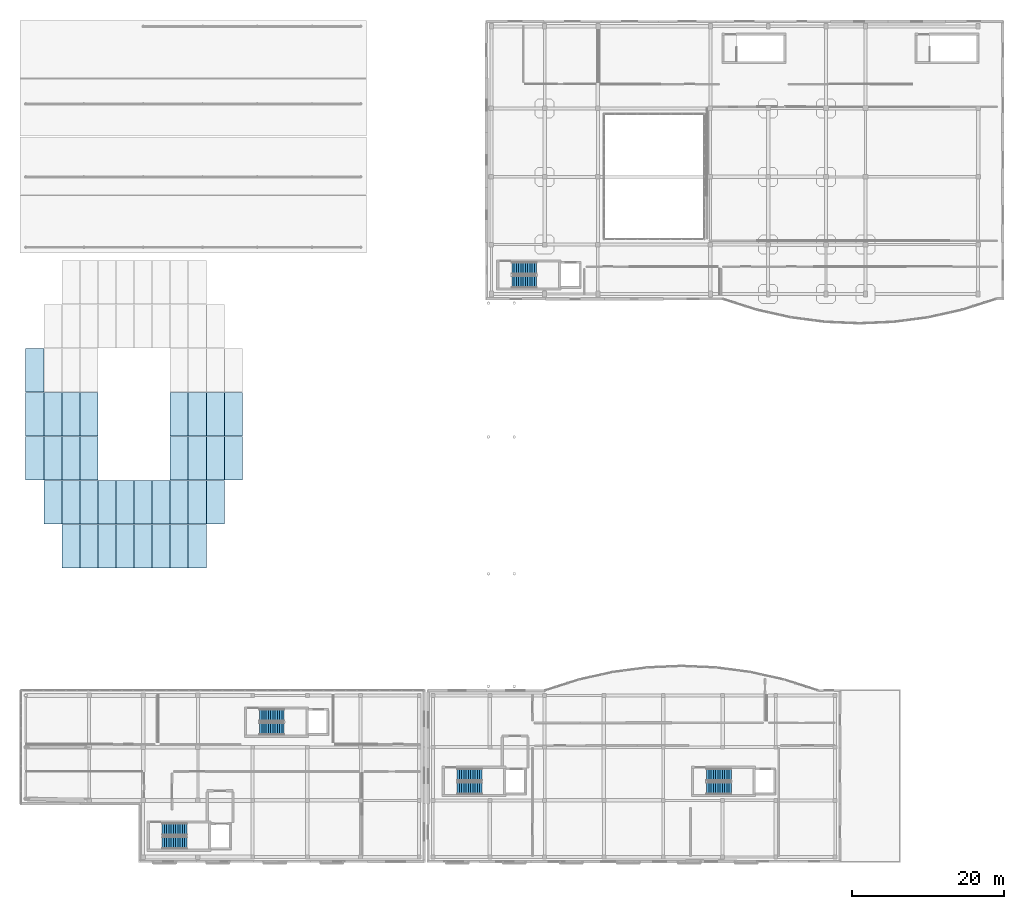
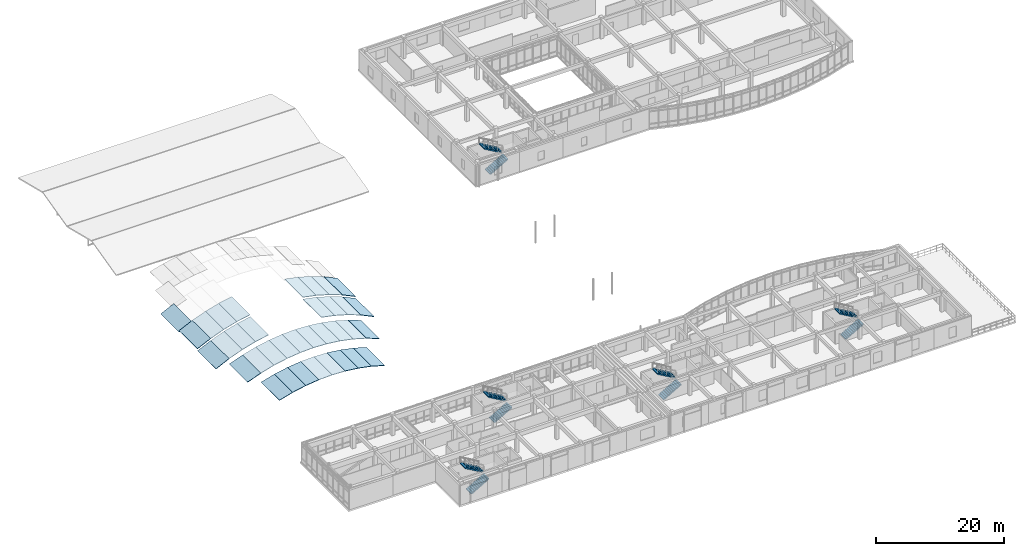
# One storey, part 84 of 91: 35 roofs, 10 stair flights, 5 elements without a shape of their own.
"""IFC4 building model written with IfcOpenShell, lengths in metres."""

from ifc_helpers import new_model, si_unit, direction, frame, origin, place, context, subcontext, project, spatial, polyline, outline, extrude, material, type_object, element, aggregate, save


model = new_model("IFC4")

# Units and contexts
model_context = context("Model", 3, precision=1e-05, world=origin(), true_north=direction((0.0, 1.0)))
body_context = subcontext(model_context, "Body", "Model", "MODEL_VIEW")
ifc_project = project(units=[si_unit("LENGTHUNIT", "METRE"), si_unit("AREAUNIT", "SQUARE_METRE"), si_unit("VOLUMEUNIT", "CUBIC_METRE"), si_unit("PLANEANGLEUNIT", "RADIAN"), si_unit("MASSUNIT", "GRAM", prefix="KILO")], contexts=[model_context])

# Site, building, storey
site_placement = place(None, origin())
site = spatial("IfcSite", under=ifc_project, at=site_placement, CompositionType="ELEMENT")
building_placement = place(site_placement, origin())
building = spatial("IfcBuilding", under=site, at=building_placement, Name="Valcora Specialist Clinic", CompositionType="ELEMENT")
storey_placement = place(building_placement, frame((0.0, 0.0, 13.60009765625)))
storey = spatial("IfcBuildingStorey", under=building, at=storey_placement, Name="L03", CompositionType="ELEMENT", Elevation=13.60009765625)

# Stair, stair flights
ifc_material_1 = material(Name="Concrete C40/50", Category="concrete")
stair_type = type_object("IfcStairType", Name="TY-ST-DG408", PredefinedType="HALF_TURN_STAIR", material=ifc_material_1)
stair_1_placement = place(storey_placement, origin())
stair_1 = element("IfcStair", 1, at=stair_1_placement, inside=storey, type_object=stair_type, Name="L03 Core C-V4A stair ST-V4A", PredefinedType="HALF_TURN_STAIR")
stair_flight_type = type_object("IfcStairFlightType", Name="TY-SF-RC160", PredefinedType="STRAIGHT", material=ifc_material_1)
stair_flight_1_placement = place(storey_placement, frame((64.699951171875, 76.39990234375, 0.0), z_axis=(0.0, 0.0, 1.0), x_axis=(1.0, 0.0, 0.0)))
stair_flight_1 = element("IfcStairFlight", 2, at=stair_flight_1_placement, type_object=stair_flight_type, Name="ST-V4A flight 1", NumberOfRisers=12, NumberOfTreads=11, PredefinedType="STRAIGHT", RiserHeight=0.17, TreadLength=0.295, context=body_context, shape_type="SweptSolid", body=[
    extrude(outline(polyline([(0.0, 0.0), (0.0, 0.169921875), (0.294921875, 0.169921875), (0.294921875, 0.340087890625), (0.590087890625, 0.340087890625), (0.590087890625, 0.510009765625), (0.885009765625, 0.510009765625), (0.885009765625, 0.679931640625), (1.179931640625, 0.679931640625), (1.179931640625, 0.85009765625), (1.47509765625, 0.85009765625), (1.47509765625, 1.02001953125), (1.77001953125, 1.02001953125), (1.77001953125, 1.18994140625), (2.06494140625, 1.18994140625), (2.06494140625, 1.360107421875), (2.360107421875, 1.360107421875), (2.360107421875, 1.530029296875), (2.655029296875, 1.530029296875), (2.655029296875, 1.699951171875), (2.949951171875, 1.699951171875), (2.949951171875, 1.8701171875), (3.2451171875, 1.8701171875), (3.2451171875, 2.0400390625), (3.2451171875, 1.685546875), (0.3203125, 0.0), (0.0, 0.0)])), frame((0.0, 0.800048828125, 0.0), z_axis=(0.0, -1.0, 0.0), x_axis=(1.0, 0.0, 0.0)), (0.0, 0.0, 1.0), 1.60009765625),
])
stair_flight_2_placement = place(storey_placement, frame((67.945068359375, 78.199951171875, 2.039794921875), z_axis=(0.0, 0.0, 1.0), x_axis=(-1.0, 0.0, 0.0)))
stair_flight_2 = element("IfcStairFlight", 3, at=stair_flight_2_placement, type_object=stair_flight_type, Name="ST-V4A flight 2", NumberOfRisers=12, NumberOfTreads=11, PredefinedType="STRAIGHT", RiserHeight=0.17, TreadLength=0.295, context=body_context, shape_type="SweptSolid", body=[
    extrude(outline(polyline([(0.0, 0.0), (0.0, 0.169921875), (0.294921875, 0.169921875), (0.294921875, 0.340087890625), (0.590087890625, 0.340087890625), (0.590087890625, 0.510009765625), (0.885009765625, 0.510009765625), (0.885009765625, 0.679931640625), (1.179931640625, 0.679931640625), (1.179931640625, 0.85009765625), (1.47509765625, 0.85009765625), (1.47509765625, 1.02001953125), (1.77001953125, 1.02001953125), (1.77001953125, 1.18994140625), (2.06494140625, 1.18994140625), (2.06494140625, 1.360107421875), (2.360107421875, 1.360107421875), (2.360107421875, 1.530029296875), (2.655029296875, 1.530029296875), (2.655029296875, 1.699951171875), (2.949951171875, 1.699951171875), (2.949951171875, 1.8701171875), (3.2451171875, 1.8701171875), (3.2451171875, 2.0400390625), (3.2451171875, 1.685546875), (0.3203125, 0.0), (0.0, 0.0)])), frame((0.0, 0.800048828125, 0.0), z_axis=(0.0, -1.0, 0.0), x_axis=(1.0, 0.0, 0.0)), (0.0, 0.0, 1.0), 1.60009765625),
])
aggregate(stair_1, [stair_flight_1, stair_flight_2])

stair_2_placement = place(storey_placement, origin())
stair_2 = element("IfcStair", 4, at=stair_2_placement, inside=storey, type_object=stair_type, Name="L03 Core C-V5A stair ST-V5A", PredefinedType="HALF_TURN_STAIR")
stair_flight_3_placement = place(storey_placement, frame((18.699951171875, 2.60009765625, 0.0), z_axis=(0.0, 0.0, 1.0), x_axis=(1.0, 0.0, 0.0)))
stair_flight_3 = element("IfcStairFlight", 5, at=stair_flight_3_placement, type_object=stair_flight_type, Name="ST-V5A flight 1", NumberOfRisers=12, NumberOfTreads=11, PredefinedType="STRAIGHT", RiserHeight=0.17, TreadLength=0.295, context=body_context, shape_type="SweptSolid", body=[
    extrude(outline(polyline([(0.0, 0.0), (0.0, 0.169921875), (0.294921875, 0.169921875), (0.294921875, 0.340087890625), (0.590087890625, 0.340087890625), (0.590087890625, 0.510009765625), (0.885009765625, 0.510009765625), (0.885009765625, 0.679931640625), (1.179931640625, 0.679931640625), (1.179931640625, 0.85009765625), (1.47509765625, 0.85009765625), (1.47509765625, 1.02001953125), (1.77001953125, 1.02001953125), (1.77001953125, 1.18994140625), (2.06494140625, 1.18994140625), (2.06494140625, 1.360107421875), (2.360107421875, 1.360107421875), (2.360107421875, 1.530029296875), (2.655029296875, 1.530029296875), (2.655029296875, 1.699951171875), (2.949951171875, 1.699951171875), (2.949951171875, 1.8701171875), (3.2451171875, 1.8701171875), (3.2451171875, 2.0400390625), (3.2451171875, 1.685546875), (0.3203125, 0.0), (0.0, 0.0)])), frame((0.0, 0.800048828125, 0.0), z_axis=(0.0, -1.0, 0.0), x_axis=(1.0, 0.0, 0.0)), (0.0, 0.0, 1.0), 1.60009765625),
])
stair_flight_4_placement = place(storey_placement, frame((21.945068359375, 4.39990234375, 2.039794921875), z_axis=(0.0, 0.0, 1.0), x_axis=(-1.0, 0.0, 0.0)))
stair_flight_4 = element("IfcStairFlight", 6, at=stair_flight_4_placement, type_object=stair_flight_type, Name="ST-V5A flight 2", NumberOfRisers=12, NumberOfTreads=11, PredefinedType="STRAIGHT", RiserHeight=0.17, TreadLength=0.295, context=body_context, shape_type="SweptSolid", body=[
    extrude(outline(polyline([(0.0, 0.0), (0.0, 0.169921875), (0.294921875, 0.169921875), (0.294921875, 0.340087890625), (0.590087890625, 0.340087890625), (0.590087890625, 0.510009765625), (0.885009765625, 0.510009765625), (0.885009765625, 0.679931640625), (1.179931640625, 0.679931640625), (1.179931640625, 0.85009765625), (1.47509765625, 0.85009765625), (1.47509765625, 1.02001953125), (1.77001953125, 1.02001953125), (1.77001953125, 1.18994140625), (2.06494140625, 1.18994140625), (2.06494140625, 1.360107421875), (2.360107421875, 1.360107421875), (2.360107421875, 1.530029296875), (2.655029296875, 1.530029296875), (2.655029296875, 1.699951171875), (2.949951171875, 1.699951171875), (2.949951171875, 1.8701171875), (3.2451171875, 1.8701171875), (3.2451171875, 2.0400390625), (3.2451171875, 1.685546875), (0.3203125, 0.0), (0.0, 0.0)])), frame((0.0, 0.800048828125, 0.0), z_axis=(0.0, -1.0, 0.0), x_axis=(1.0, 0.0, 0.0)), (0.0, 0.0, 1.0), 1.60009765625),
])
aggregate(stair_2, [stair_flight_3, stair_flight_4])

stair_3_placement = place(storey_placement, origin())
stair_3 = element("IfcStair", 7, at=stair_3_placement, inside=storey, type_object=stair_type, Name="L03 Core C-V5B stair ST-V5B", PredefinedType="HALF_TURN_STAIR")
stair_flight_5_placement = place(storey_placement, frame((31.5, 17.60009765625, 0.0), z_axis=(0.0, 0.0, 1.0), x_axis=(1.0, 0.0, 0.0)))
stair_flight_5 = element("IfcStairFlight", 8, at=stair_flight_5_placement, type_object=stair_flight_type, Name="ST-V5B flight 1", NumberOfRisers=12, NumberOfTreads=11, PredefinedType="STRAIGHT", RiserHeight=0.17, TreadLength=0.295, context=body_context, shape_type="SweptSolid", body=[
    extrude(outline(polyline([(0.0, 0.0), (0.0, 0.169921875), (0.294921875, 0.169921875), (0.294921875, 0.340087890625), (0.590087890625, 0.340087890625), (0.590087890625, 0.510009765625), (0.885009765625, 0.510009765625), (0.885009765625, 0.679931640625), (1.179931640625, 0.679931640625), (1.179931640625, 0.85009765625), (1.47509765625, 0.85009765625), (1.47509765625, 1.02001953125), (1.77001953125, 1.02001953125), (1.77001953125, 1.18994140625), (2.06494140625, 1.18994140625), (2.06494140625, 1.360107421875), (2.360107421875, 1.360107421875), (2.360107421875, 1.530029296875), (2.655029296875, 1.530029296875), (2.655029296875, 1.699951171875), (2.949951171875, 1.699951171875), (2.949951171875, 1.8701171875), (3.2451171875, 1.8701171875), (3.2451171875, 2.0400390625), (3.2451171875, 1.685546875), (0.3203125, 0.0), (0.0, 0.0)])), frame((0.0, 0.800048828125, 0.0), z_axis=(0.0, -1.0, 0.0), x_axis=(1.0, 0.0, 0.0)), (0.0, 0.0, 1.0), 1.60009765625),
])
stair_flight_6_placement = place(storey_placement, frame((34.7451171875, 19.39990234375, 2.039794921875), z_axis=(0.0, 0.0, 1.0), x_axis=(-1.0, 0.0, 0.0)))
stair_flight_6 = element("IfcStairFlight", 9, at=stair_flight_6_placement, type_object=stair_flight_type, Name="ST-V5B flight 2", NumberOfRisers=12, NumberOfTreads=11, PredefinedType="STRAIGHT", RiserHeight=0.17, TreadLength=0.295, context=body_context, shape_type="SweptSolid", body=[
    extrude(outline(polyline([(0.0, 0.0), (0.0, 0.169921875), (0.294921875, 0.169921875), (0.294921875, 0.340087890625), (0.590087890625, 0.340087890625), (0.590087890625, 0.510009765625), (0.885009765625, 0.510009765625), (0.885009765625, 0.679931640625), (1.179931640625, 0.679931640625), (1.179931640625, 0.85009765625), (1.47509765625, 0.85009765625), (1.47509765625, 1.02001953125), (1.77001953125, 1.02001953125), (1.77001953125, 1.18994140625), (2.06494140625, 1.18994140625), (2.06494140625, 1.360107421875), (2.360107421875, 1.360107421875), (2.360107421875, 1.530029296875), (2.655029296875, 1.530029296875), (2.655029296875, 1.699951171875), (2.949951171875, 1.699951171875), (2.949951171875, 1.8701171875), (3.2451171875, 1.8701171875), (3.2451171875, 2.0400390625), (3.2451171875, 1.685546875), (0.3203125, 0.0), (0.0, 0.0)])), frame((0.0, 0.800048828125, 0.0), z_axis=(0.0, -1.0, 0.0), x_axis=(1.0, 0.0, 0.0)), (0.0, 0.0, 1.0), 1.60009765625),
])
aggregate(stair_3, [stair_flight_5, stair_flight_6])

stair_4_placement = place(storey_placement, origin())
stair_4 = element("IfcStair", 10, at=stair_4_placement, inside=storey, type_object=stair_type, Name="L03 Core C-V6A stair ST-V6A", PredefinedType="HALF_TURN_STAIR")
stair_flight_7_placement = place(storey_placement, frame((57.5, 9.800048828125, 0.0), z_axis=(0.0, 0.0, 1.0), x_axis=(1.0, 0.0, 0.0)))
stair_flight_7 = element("IfcStairFlight", 11, at=stair_flight_7_placement, type_object=stair_flight_type, Name="ST-V6A flight 1", NumberOfRisers=12, NumberOfTreads=11, PredefinedType="STRAIGHT", RiserHeight=0.17, TreadLength=0.295, context=body_context, shape_type="SweptSolid", body=[
    extrude(outline(polyline([(0.0, 0.0), (0.0, 0.169921875), (0.294921875, 0.169921875), (0.294921875, 0.340087890625), (0.590087890625, 0.340087890625), (0.590087890625, 0.510009765625), (0.885009765625, 0.510009765625), (0.885009765625, 0.679931640625), (1.179931640625, 0.679931640625), (1.179931640625, 0.85009765625), (1.47509765625, 0.85009765625), (1.47509765625, 1.02001953125), (1.77001953125, 1.02001953125), (1.77001953125, 1.18994140625), (2.06494140625, 1.18994140625), (2.06494140625, 1.360107421875), (2.360107421875, 1.360107421875), (2.360107421875, 1.530029296875), (2.655029296875, 1.530029296875), (2.655029296875, 1.699951171875), (2.949951171875, 1.699951171875), (2.949951171875, 1.8701171875), (3.2451171875, 1.8701171875), (3.2451171875, 2.0400390625), (3.2451171875, 1.685546875), (0.3203125, 0.0), (0.0, 0.0)])), frame((0.0, 0.800048828125, 0.0), z_axis=(0.0, -1.0, 0.0), x_axis=(1.0, 0.0, 0.0)), (0.0, 0.0, 1.0), 1.60009765625),
])
stair_flight_8_placement = place(storey_placement, frame((60.7451171875, 11.60009765625, 2.039794921875), z_axis=(0.0, 0.0, 1.0), x_axis=(-1.0, 0.0, 0.0)))
stair_flight_8 = element("IfcStairFlight", 12, at=stair_flight_8_placement, type_object=stair_flight_type, Name="ST-V6A flight 2", NumberOfRisers=12, NumberOfTreads=11, PredefinedType="STRAIGHT", RiserHeight=0.17, TreadLength=0.295, context=body_context, shape_type="SweptSolid", body=[
    extrude(outline(polyline([(0.0, 0.0), (0.0, 0.169921875), (0.294921875, 0.169921875), (0.294921875, 0.340087890625), (0.590087890625, 0.340087890625), (0.590087890625, 0.510009765625), (0.885009765625, 0.510009765625), (0.885009765625, 0.679931640625), (1.179931640625, 0.679931640625), (1.179931640625, 0.85009765625), (1.47509765625, 0.85009765625), (1.47509765625, 1.02001953125), (1.77001953125, 1.02001953125), (1.77001953125, 1.18994140625), (2.06494140625, 1.18994140625), (2.06494140625, 1.360107421875), (2.360107421875, 1.360107421875), (2.360107421875, 1.530029296875), (2.655029296875, 1.530029296875), (2.655029296875, 1.699951171875), (2.949951171875, 1.699951171875), (2.949951171875, 1.8701171875), (3.2451171875, 1.8701171875), (3.2451171875, 2.0400390625), (3.2451171875, 1.685546875), (0.3203125, 0.0), (0.0, 0.0)])), frame((0.0, 0.800048828125, 0.0), z_axis=(0.0, -1.0, 0.0), x_axis=(1.0, 0.0, 0.0)), (0.0, 0.0, 1.0), 1.60009765625),
])
aggregate(stair_4, [stair_flight_7, stair_flight_8])

stair_5_placement = place(storey_placement, origin())
stair_5 = element("IfcStair", 13, at=stair_5_placement, inside=storey, type_object=stair_type, Name="L03 Core C-V6B stair ST-V6B", PredefinedType="HALF_TURN_STAIR")
stair_flight_9_placement = place(storey_placement, frame((90.300048828125, 9.800048828125, 0.0), z_axis=(0.0, 0.0, 1.0), x_axis=(1.0, 0.0, 0.0)))
stair_flight_9 = element("IfcStairFlight", 14, at=stair_flight_9_placement, type_object=stair_flight_type, Name="ST-V6B flight 1", NumberOfRisers=12, NumberOfTreads=11, PredefinedType="STRAIGHT", RiserHeight=0.17, TreadLength=0.295, context=body_context, shape_type="SweptSolid", body=[
    extrude(outline(polyline([(0.0, 0.0), (0.0, 0.169921875), (0.294921875, 0.169921875), (0.294921875, 0.340087890625), (0.590087890625, 0.340087890625), (0.590087890625, 0.510009765625), (0.885009765625, 0.510009765625), (0.885009765625, 0.679931640625), (1.179931640625, 0.679931640625), (1.179931640625, 0.85009765625), (1.47509765625, 0.85009765625), (1.47509765625, 1.02001953125), (1.77001953125, 1.02001953125), (1.77001953125, 1.18994140625), (2.06494140625, 1.18994140625), (2.06494140625, 1.360107421875), (2.360107421875, 1.360107421875), (2.360107421875, 1.530029296875), (2.655029296875, 1.530029296875), (2.655029296875, 1.699951171875), (2.949951171875, 1.699951171875), (2.949951171875, 1.8701171875), (3.2451171875, 1.8701171875), (3.2451171875, 2.0400390625), (3.2451171875, 1.685546875), (0.3203125, 0.0), (0.0, 0.0)])), frame((0.0, 0.800048828125, 0.0), z_axis=(0.0, -1.0, 0.0), x_axis=(1.0, 0.0, 0.0)), (0.0, 0.0, 1.0), 1.60009765625),
])
stair_flight_10_placement = place(storey_placement, frame((93.544921875, 11.60009765625, 2.039794921875), z_axis=(0.0, 0.0, 1.0), x_axis=(-1.0, 0.0, 0.0)))
stair_flight_10 = element("IfcStairFlight", 15, at=stair_flight_10_placement, type_object=stair_flight_type, Name="ST-V6B flight 2", NumberOfRisers=12, NumberOfTreads=11, PredefinedType="STRAIGHT", RiserHeight=0.17, TreadLength=0.295, context=body_context, shape_type="SweptSolid", body=[
    extrude(outline(polyline([(0.0, 0.0), (0.0, 0.169921875), (0.294921875, 0.169921875), (0.294921875, 0.340087890625), (0.590087890625, 0.340087890625), (0.590087890625, 0.510009765625), (0.885009765625, 0.510009765625), (0.885009765625, 0.679931640625), (1.179931640625, 0.679931640625), (1.179931640625, 0.85009765625), (1.47509765625, 0.85009765625), (1.47509765625, 1.02001953125), (1.77001953125, 1.02001953125), (1.77001953125, 1.18994140625), (2.06494140625, 1.18994140625), (2.06494140625, 1.360107421875), (2.360107421875, 1.360107421875), (2.360107421875, 1.530029296875), (2.655029296875, 1.530029296875), (2.655029296875, 1.699951171875), (2.949951171875, 1.699951171875), (2.949951171875, 1.8701171875), (3.2451171875, 1.8701171875), (3.2451171875, 2.0400390625), (3.2451171875, 1.685546875), (0.3203125, 0.0), (0.0, 0.0)])), frame((0.0, 0.800048828125, 0.0), z_axis=(0.0, -1.0, 0.0), x_axis=(1.0, 0.0, 0.0)), (0.0, 0.0, 1.0), 1.60009765625),
])
aggregate(stair_5, [stair_flight_9, stair_flight_10])

# Roofs
ifc_material_2 = material(Name="Anodized Bronze Aluminium 6063-T6", Category="aluminium")
roof_type = type_object("IfcRoofType", Name="TY-RF-GS", PredefinedType="BARREL_ROOF", material=ifc_material_2)
roof_1_placement = place(storey_placement, frame((5.5, 38.7900390625, 0.070556640625), z_axis=(-0.274407777259, 0.0, 0.961613421173), x_axis=(0.961613421173, 0.0, 0.274407777259)))
element("IfcRoof", 16, at=roof_1_placement, inside=storey, type_object=roof_type, Name="Volume 1 parabolic gridshell vault facet 3", PredefinedType="BARREL_ROOF", context=body_context, shape_type="SweptSolid", body=[
    extrude(outline(polyline([(0.0, 0.0), (2.4698074587013137, 0.0), (2.4698074587013137, 5.706054687500001), (0.0, 5.706054687500001), (0.0, 0.0)])), origin(), (0.0, 0.0, -1.0), 0.080078125),
])
roof_2_placement = place(storey_placement, frame((7.875, 38.7900390625, 0.748291015625), z_axis=(-0.19605798036, 0.0, 0.980592304853), x_axis=(0.980592304853, 0.0, 0.19605798036)))
element("IfcRoof", 17, at=roof_2_placement, inside=storey, type_object=roof_type, Name="Volume 1 parabolic gridshell vault facet 4", PredefinedType="BARREL_ROOF", context=body_context, shape_type="SweptSolid", body=[
    extrude(outline(polyline([(0.0, 0.0), (2.4220055452664475, 0.0), (2.4220055452664475, 5.7060546875), (0.0, 5.7060546875), (0.0, 0.0)])), origin(), (0.0, 0.0, -1.0), 0.080078125),
])
roof_3_placement = place(storey_placement, frame((10.25, 38.7900390625, 1.22314453125), z_axis=(-0.117599343536, 0.0, 0.993061123194), x_axis=(0.993061123194, 0.0, 0.117599343536)))
element("IfcRoof", 18, at=roof_3_placement, inside=storey, type_object=roof_type, Name="Volume 1 parabolic gridshell vault facet 5", PredefinedType="BARREL_ROOF", context=body_context, shape_type="SweptSolid", body=[
    extrude(outline(polyline([(0.0, 0.0), (2.3915949829559353, 0.0), (2.3915949829559353, 5.706054687500001), (0.0, 5.706054687500001), (0.0, 0.0)])), origin(), (0.0, 0.0, -1.0), 0.080078125),
])
for number, where, z_axis, x_axis, name in (
    (19, (12.625, 38.7900390625, 1.50439453125), (-0.039237851707, 0.0, 0.999229898969), (0.999229898969, 0.0, 0.039237851707), "Volume 1 parabolic gridshell vault facet 6"),
    (20, (15.0, 38.7900390625, 1.59765625), (0.039237851707, 0.0, 0.999229898969), (0.999229898969, 0.0, -0.039237851707), "Volume 1 parabolic gridshell vault facet 7"),
):
    element("IfcRoof", number, at=place(storey_placement, frame(where, z_axis=z_axis, x_axis=x_axis)), inside=storey, type_object=roof_type, Name=name, PredefinedType="BARREL_ROOF", context=body_context, shape_type="SweptSolid", body=[
        extrude(outline(polyline([(0.0, 0.0), (2.376830399541415, 0.0), (2.376830399541415, 5.7060546875), (0.0, 5.7060546875), (0.0, 0.0)])), origin(), (0.0, 0.0, -1.0), 0.080078125),
    ])
roof_4_placement = place(storey_placement, frame((17.375, 38.7900390625, 1.50439453125), z_axis=(0.117599343536, 0.0, 0.993061123194), x_axis=(0.993061123194, 0.0, -0.117599343536)))
element("IfcRoof", 21, at=roof_4_placement, inside=storey, type_object=roof_type, Name="Volume 1 parabolic gridshell vault facet 8", PredefinedType="BARREL_ROOF", context=body_context, shape_type="SweptSolid", body=[
    extrude(outline(polyline([(0.0, 0.0), (2.3915949829559353, 0.0), (2.3915949829559353, 5.706054687500001), (0.0, 5.706054687500001), (0.0, 0.0)])), origin(), (0.0, 0.0, -1.0), 0.080078125),
])
roof_5_placement = place(storey_placement, frame((19.75, 38.7900390625, 1.22314453125), z_axis=(0.19605798036, 0.0, 0.980592304853), x_axis=(0.980592304853, 0.0, -0.19605798036)))
element("IfcRoof", 22, at=roof_5_placement, inside=storey, type_object=roof_type, Name="Volume 1 parabolic gridshell vault facet 9", PredefinedType="BARREL_ROOF", context=body_context, shape_type="SweptSolid", body=[
    extrude(outline(polyline([(0.0, 0.0), (2.4220055452664475, 0.0), (2.4220055452664475, 5.7060546875), (0.0, 5.7060546875), (0.0, 0.0)])), origin(), (0.0, 0.0, -1.0), 0.080078125),
])
roof_6_placement = place(storey_placement, frame((22.125, 38.7900390625, 0.748291015625), z_axis=(0.274407777259, 0.0, 0.961613421173), x_axis=(0.961613421173, 0.0, -0.274407777259)))
element("IfcRoof", 23, at=roof_6_placement, inside=storey, type_object=roof_type, Name="Volume 1 parabolic gridshell vault facet 10", PredefinedType="BARREL_ROOF", context=body_context, shape_type="SweptSolid", body=[
    extrude(outline(polyline([(0.0, 0.0), (2.4698074587013137, 0.0), (2.4698074587013137, 5.706054687500001), (0.0, 5.706054687500001), (0.0, 0.0)])), origin(), (0.0, 0.0, -1.0), 0.080078125),
])
roof_7_placement = place(storey_placement, frame((3.125, 44.575927734375, 0.853515625), z_axis=(-0.352809417059, 0.0, 0.935695204238), x_axis=(0.935695204238, 0.0, 0.352809417059)))
element("IfcRoof", 24, at=roof_7_placement, inside=storey, type_object=roof_type, Name="Volume 1 parabolic gridshell vault facet 14", PredefinedType="BARREL_ROOF", context=body_context, shape_type="SweptSolid", body=[
    extrude(outline(polyline([(0.0, 0.0), (2.538219699365785, 0.0), (2.538219699365785, 5.705078125000001), (0.0, 5.705078125000001), (0.0, 0.0)])), origin(), (0.0, 0.0, -1.0), 0.080078125),
])
roof_8_placement = place(storey_placement, frame((5.5, 44.575927734375, 1.7490234375), z_axis=(-0.27449918023, 0.0, 0.961587333555), x_axis=(0.961587333555, 0.0, 0.27449918023)))
element("IfcRoof", 25, at=roof_8_placement, inside=storey, type_object=roof_type, Name="Volume 1 parabolic gridshell vault facet 15", PredefinedType="BARREL_ROOF", context=body_context, shape_type="SweptSolid", body=[
    extrude(outline(polyline([(0.0, 0.0), (2.469874463945299, 0.0), (2.469874463945299, 5.705078125), (0.0, 5.705078125), (0.0, 0.0)])), origin(), (0.0, 0.0, -1.0), 0.080078125),
])
roof_9_placement = place(storey_placement, frame((7.875, 44.575927734375, 2.427001953125), z_axis=(-0.195961051132, 0.0, 0.980611679738), x_axis=(0.980611679738, 0.0, 0.195961051132)))
element("IfcRoof", 26, at=roof_9_placement, inside=storey, type_object=roof_type, Name="Volume 1 parabolic gridshell vault facet 16", PredefinedType="BARREL_ROOF", context=body_context, shape_type="SweptSolid", body=[
    extrude(outline(polyline([(0.0, 0.0), (2.4219576913806504, 0.0), (2.4219576913806504, 5.705078125000001), (0.0, 5.705078125000001), (0.0, 0.0)])), origin(), (0.0, 0.0, -1.0), 0.080078125),
])
roof_10_placement = place(storey_placement, frame((10.25, 44.575927734375, 2.901611328125), z_axis=(-0.117599343536, 0.0, 0.993061123194), x_axis=(0.993061123194, 0.0, 0.117599343536)))
element("IfcRoof", 27, at=roof_10_placement, inside=storey, type_object=roof_type, Name="Volume 1 parabolic gridshell vault facet 17", PredefinedType="BARREL_ROOF", context=body_context, shape_type="SweptSolid", body=[
    extrude(outline(polyline([(0.0, 0.0), (2.3915949829559353, 0.0), (2.3915949829559353, 5.705078125000001), (0.0, 5.705078125000001), (0.0, 0.0)])), origin(), (0.0, 0.0, -1.0), 0.080078125),
])
for number, where, z_axis, x_axis, name in (
    (28, (12.625, 44.575927734375, 3.182861328125), (-0.039237851707, 0.0, 0.999229898969), (0.999229898969, 0.0, 0.039237851707), "Volume 1 parabolic gridshell vault facet 18"),
    (29, (15.0, 44.575927734375, 3.276123046875), (0.039237851707, 0.0, 0.999229898969), (0.999229898969, 0.0, -0.039237851707), "Volume 1 parabolic gridshell vault facet 19"),
):
    element("IfcRoof", number, at=place(storey_placement, frame(where, z_axis=z_axis, x_axis=x_axis)), inside=storey, type_object=roof_type, Name=name, PredefinedType="BARREL_ROOF", context=body_context, shape_type="SweptSolid", body=[
        extrude(outline(polyline([(0.0, 0.0), (2.376830399541415, 0.0), (2.376830399541415, 5.705078125), (0.0, 5.705078125), (0.0, 0.0)])), origin(), (0.0, 0.0, -1.0), 0.080078125),
    ])
roof_11_placement = place(storey_placement, frame((17.375, 44.575927734375, 3.182861328125), z_axis=(0.117599343536, 0.0, 0.993061123194), x_axis=(0.993061123194, 0.0, -0.117599343536)))
element("IfcRoof", 30, at=roof_11_placement, inside=storey, type_object=roof_type, Name="Volume 1 parabolic gridshell vault facet 20", PredefinedType="BARREL_ROOF", context=body_context, shape_type="SweptSolid", body=[
    extrude(outline(polyline([(0.0, 0.0), (2.3915949829559353, 0.0), (2.3915949829559353, 5.705078125000001), (0.0, 5.705078125000001), (0.0, 0.0)])), origin(), (0.0, 0.0, -1.0), 0.080078125),
])
roof_12_placement = place(storey_placement, frame((19.75, 44.575927734375, 2.901611328125), z_axis=(0.195961051132, 0.0, 0.980611679738), x_axis=(0.980611679738, 0.0, -0.195961051132)))
element("IfcRoof", 31, at=roof_12_placement, inside=storey, type_object=roof_type, Name="Volume 1 parabolic gridshell vault facet 21", PredefinedType="BARREL_ROOF", context=body_context, shape_type="SweptSolid", body=[
    extrude(outline(polyline([(0.0, 0.0), (2.4219576913806504, 0.0), (2.4219576913806504, 5.705078125000001), (0.0, 5.705078125000001), (0.0, 0.0)])), origin(), (0.0, 0.0, -1.0), 0.080078125),
])
roof_13_placement = place(storey_placement, frame((22.125, 44.575927734375, 2.427001953125), z_axis=(0.27449918023, 0.0, 0.961587333555), x_axis=(0.961587333555, 0.0, -0.27449918023)))
element("IfcRoof", 32, at=roof_13_placement, inside=storey, type_object=roof_type, Name="Volume 1 parabolic gridshell vault facet 22", PredefinedType="BARREL_ROOF", context=body_context, shape_type="SweptSolid", body=[
    extrude(outline(polyline([(0.0, 0.0), (2.469874463945299, 0.0), (2.469874463945299, 5.705078125), (0.0, 5.705078125), (0.0, 0.0)])), origin(), (0.0, 0.0, -1.0), 0.080078125),
])
roof_14_placement = place(storey_placement, frame((24.5, 44.575927734375, 1.7490234375), z_axis=(0.352809417059, 0.0, 0.935695204238), x_axis=(0.935695204238, 0.0, -0.352809417059)))
element("IfcRoof", 33, at=roof_14_placement, inside=storey, type_object=roof_type, Name="Volume 1 parabolic gridshell vault facet 23", PredefinedType="BARREL_ROOF", context=body_context, shape_type="SweptSolid", body=[
    extrude(outline(polyline([(0.0, 0.0), (2.538219699365785, 0.0), (2.538219699365785, 5.705078125000001), (0.0, 5.705078125000001), (0.0, 0.0)])), origin(), (0.0, 0.0, -1.0), 0.080078125),
])
roof_15_placement = place(storey_placement, frame((0.75, 50.361083984375, 0.69921875), z_axis=(-0.431265146028, 0.0, 0.902225234529), x_axis=(0.902225234529, 0.0, 0.431265146028)))
element("IfcRoof", 34, at=roof_15_placement, inside=storey, type_object=roof_type, Name="Volume 1 parabolic gridshell vault facet 25", PredefinedType="BARREL_ROOF", context=body_context, shape_type="SweptSolid", body=[
    extrude(outline(polyline([(0.0, 0.0), (2.632380373664848, 0.0), (2.632380373664848, 5.705810546875), (0.0, 5.705810546875), (0.0, 0.0)])), origin(), (0.0, 0.0, -1.0), 0.080078125),
])
roof_16_placement = place(storey_placement, frame((3.125, 50.361083984375, 1.83447265625), z_axis=(-0.352809417059, 0.0, 0.935695204238), x_axis=(0.935695204238, 0.0, 0.352809417059)))
element("IfcRoof", 35, at=roof_16_placement, inside=storey, type_object=roof_type, Name="Volume 1 parabolic gridshell vault facet 26", PredefinedType="BARREL_ROOF", context=body_context, shape_type="SweptSolid", body=[
    extrude(outline(polyline([(0.0, 0.0), (2.538219699365785, 0.0), (2.538219699365785, 5.705810546875001), (0.0, 5.705810546875001), (0.0, 0.0)])), origin(), (0.0, 0.0, -1.0), 0.080078125),
])
roof_17_placement = place(storey_placement, frame((5.5, 50.361083984375, 2.72998046875), z_axis=(-0.274407777259, 0.0, 0.961613421173), x_axis=(0.961613421173, 0.0, 0.274407777259)))
element("IfcRoof", 36, at=roof_17_placement, inside=storey, type_object=roof_type, Name="Volume 1 parabolic gridshell vault facet 27", PredefinedType="BARREL_ROOF", context=body_context, shape_type="SweptSolid", body=[
    extrude(outline(polyline([(0.0, 0.0), (2.4698074587013137, 0.0), (2.4698074587013137, 5.705810546875001), (0.0, 5.705810546875001), (0.0, 0.0)])), origin(), (0.0, 0.0, -1.0), 0.080078125),
])
for number, where, z_axis, x_axis, name in (
    (37, (7.875, 50.361083984375, 3.40771484375), (-0.19605798036, 0.0, 0.980592304853), (0.980592304853, 0.0, 0.19605798036), "Volume 1 parabolic gridshell vault facet 28"),
    (38, (19.75, 50.361083984375, 3.882568359375), (0.19605798036, 0.0, 0.980592304853), (0.980592304853, 0.0, -0.19605798036), "Volume 1 parabolic gridshell vault facet 33"),
):
    element("IfcRoof", number, at=place(storey_placement, frame(where, z_axis=z_axis, x_axis=x_axis)), inside=storey, type_object=roof_type, Name=name, PredefinedType="BARREL_ROOF", context=body_context, shape_type="SweptSolid", body=[
        extrude(outline(polyline([(0.0, 0.0), (2.4220055452664475, 0.0), (2.4220055452664475, 5.705810546875), (0.0, 5.705810546875), (0.0, 0.0)])), origin(), (0.0, 0.0, -1.0), 0.080078125),
    ])
roof_18_placement = place(storey_placement, frame((22.125, 50.361083984375, 3.40771484375), z_axis=(0.274407777259, 0.0, 0.961613421173), x_axis=(0.961613421173, 0.0, -0.274407777259)))
element("IfcRoof", 39, at=roof_18_placement, inside=storey, type_object=roof_type, Name="Volume 1 parabolic gridshell vault facet 34", PredefinedType="BARREL_ROOF", context=body_context, shape_type="SweptSolid", body=[
    extrude(outline(polyline([(0.0, 0.0), (2.4698074587013137, 0.0), (2.4698074587013137, 5.705810546875001), (0.0, 5.705810546875001), (0.0, 0.0)])), origin(), (0.0, 0.0, -1.0), 0.080078125),
])
roof_19_placement = place(storey_placement, frame((24.5, 50.361083984375, 2.72998046875), z_axis=(0.352809417059, 0.0, 0.935695204238), x_axis=(0.935695204238, 0.0, -0.352809417059)))
element("IfcRoof", 40, at=roof_19_placement, inside=storey, type_object=roof_type, Name="Volume 1 parabolic gridshell vault facet 35", PredefinedType="BARREL_ROOF", context=body_context, shape_type="SweptSolid", body=[
    extrude(outline(polyline([(0.0, 0.0), (2.538219699365785, 0.0), (2.538219699365785, 5.705810546875001), (0.0, 5.705810546875001), (0.0, 0.0)])), origin(), (0.0, 0.0, -1.0), 0.080078125),
])
roof_20_placement = place(storey_placement, frame((26.875, 50.361083984375, 1.83447265625), z_axis=(0.431265146028, 0.0, 0.902225234529), x_axis=(0.902225234529, 0.0, -0.431265146028)))
element("IfcRoof", 41, at=roof_20_placement, inside=storey, type_object=roof_type, Name="Volume 1 parabolic gridshell vault facet 36", PredefinedType="BARREL_ROOF", context=body_context, shape_type="SweptSolid", body=[
    extrude(outline(polyline([(0.0, 0.0), (2.632380373664848, 0.0), (2.632380373664848, 5.705810546875), (0.0, 5.705810546875), (0.0, 0.0)])), origin(), (0.0, 0.0, -1.0), 0.080078125),
])
roof_21_placement = place(storey_placement, frame((0.75, 56.14697265625, 1.02197265625), z_axis=(-0.431265146028, 0.0, 0.902225234529), x_axis=(0.902225234529, 0.0, 0.431265146028)))
element("IfcRoof", 42, at=roof_21_placement, inside=storey, type_object=roof_type, Name="Volume 1 parabolic gridshell vault facet 37", PredefinedType="BARREL_ROOF", context=body_context, shape_type="SweptSolid", body=[
    extrude(outline(polyline([(0.0, 0.0), (2.632380373664848, 0.0), (2.632380373664848, 5.7060546875), (0.0, 5.7060546875), (0.0, 0.0)])), origin(), (0.0, 0.0, -1.0), 0.080078125),
])
roof_22_placement = place(storey_placement, frame((3.125, 56.14697265625, 2.1572265625), z_axis=(-0.352893625871, 0.0, 0.935663448479), x_axis=(0.935663448479, 0.0, 0.352893625871)))
element("IfcRoof", 43, at=roof_22_placement, inside=storey, type_object=roof_type, Name="Volume 1 parabolic gridshell vault facet 38", PredefinedType="BARREL_ROOF", context=body_context, shape_type="SweptSolid", body=[
    extrude(outline(polyline([(0.0, 0.0), (2.538305844756942, 0.0), (2.538305844756942, 5.7060546875), (0.0, 5.7060546875), (0.0, 0.0)])), origin(), (0.0, 0.0, -1.0), 0.080078125),
])
roof_23_placement = place(storey_placement, frame((5.5, 56.14697265625, 3.052978515625), z_axis=(-0.274407777259, 0.0, 0.961613421173), x_axis=(0.961613421173, 0.0, 0.274407777259)))
element("IfcRoof", 44, at=roof_23_placement, inside=storey, type_object=roof_type, Name="Volume 1 parabolic gridshell vault facet 39", PredefinedType="BARREL_ROOF", context=body_context, shape_type="SweptSolid", body=[
    extrude(outline(polyline([(0.0, 0.0), (2.4698074587013137, 0.0), (2.4698074587013137, 5.706054687500001), (0.0, 5.706054687500001), (0.0, 0.0)])), origin(), (0.0, 0.0, -1.0), 0.080078125),
])
for number, where, z_axis, x_axis, name in (
    (45, (7.875, 56.14697265625, 3.730712890625), (-0.19605798036, 0.0, 0.980592304853), (0.980592304853, 0.0, 0.19605798036), "Volume 1 parabolic gridshell vault facet 40"),
    (46, (19.75, 56.14697265625, 4.20556640625), (0.19605798036, 0.0, 0.980592304853), (0.980592304853, 0.0, -0.19605798036), "Volume 1 parabolic gridshell vault facet 45"),
):
    element("IfcRoof", number, at=place(storey_placement, frame(where, z_axis=z_axis, x_axis=x_axis)), inside=storey, type_object=roof_type, Name=name, PredefinedType="BARREL_ROOF", context=body_context, shape_type="SweptSolid", body=[
        extrude(outline(polyline([(0.0, 0.0), (2.4220055452664475, 0.0), (2.4220055452664475, 5.7060546875), (0.0, 5.7060546875), (0.0, 0.0)])), origin(), (0.0, 0.0, -1.0), 0.080078125),
    ])
roof_24_placement = place(storey_placement, frame((22.125, 56.14697265625, 3.730712890625), z_axis=(0.274407777259, 0.0, 0.961613421173), x_axis=(0.961613421173, 0.0, -0.274407777259)))
element("IfcRoof", 47, at=roof_24_placement, inside=storey, type_object=roof_type, Name="Volume 1 parabolic gridshell vault facet 46", PredefinedType="BARREL_ROOF", context=body_context, shape_type="SweptSolid", body=[
    extrude(outline(polyline([(0.0, 0.0), (2.4698074587013137, 0.0), (2.4698074587013137, 5.706054687500001), (0.0, 5.706054687500001), (0.0, 0.0)])), origin(), (0.0, 0.0, -1.0), 0.080078125),
])
roof_25_placement = place(storey_placement, frame((24.5, 56.14697265625, 3.052978515625), z_axis=(0.352893625871, 0.0, 0.935663448479), x_axis=(0.935663448479, 0.0, -0.352893625871)))
element("IfcRoof", 48, at=roof_25_placement, inside=storey, type_object=roof_type, Name="Volume 1 parabolic gridshell vault facet 47", PredefinedType="BARREL_ROOF", context=body_context, shape_type="SweptSolid", body=[
    extrude(outline(polyline([(0.0, 0.0), (2.538305844756942, 0.0), (2.538305844756942, 5.7060546875), (0.0, 5.7060546875), (0.0, 0.0)])), origin(), (0.0, 0.0, -1.0), 0.080078125),
])
roof_26_placement = place(storey_placement, frame((26.875, 56.14697265625, 2.1572265625), z_axis=(0.431265146028, 0.0, 0.902225234529), x_axis=(0.902225234529, 0.0, -0.431265146028)))
element("IfcRoof", 49, at=roof_26_placement, inside=storey, type_object=roof_type, Name="Volume 1 parabolic gridshell vault facet 48", PredefinedType="BARREL_ROOF", context=body_context, shape_type="SweptSolid", body=[
    extrude(outline(polyline([(0.0, 0.0), (2.632380373664848, 0.0), (2.632380373664848, 5.7060546875), (0.0, 5.7060546875), (0.0, 0.0)])), origin(), (0.0, 0.0, -1.0), 0.080078125),
])
roof_27_placement = place(storey_placement, frame((0.75, 61.93310546875, 0.69921875), z_axis=(-0.431265146028, 0.0, 0.902225234529), x_axis=(0.902225234529, 0.0, 0.431265146028)))
element("IfcRoof", 50, at=roof_27_placement, inside=storey, type_object=roof_type, Name="Volume 1 parabolic gridshell vault facet 49", PredefinedType="BARREL_ROOF", context=body_context, shape_type="SweptSolid", body=[
    extrude(outline(polyline([(0.0, 0.0), (2.632380373664848, 0.0), (2.632380373664848, 5.705810546875), (0.0, 5.705810546875), (0.0, 0.0)])), origin(), (0.0, 0.0, -1.0), 0.080078125),
])

save(model, "model.ifc")
